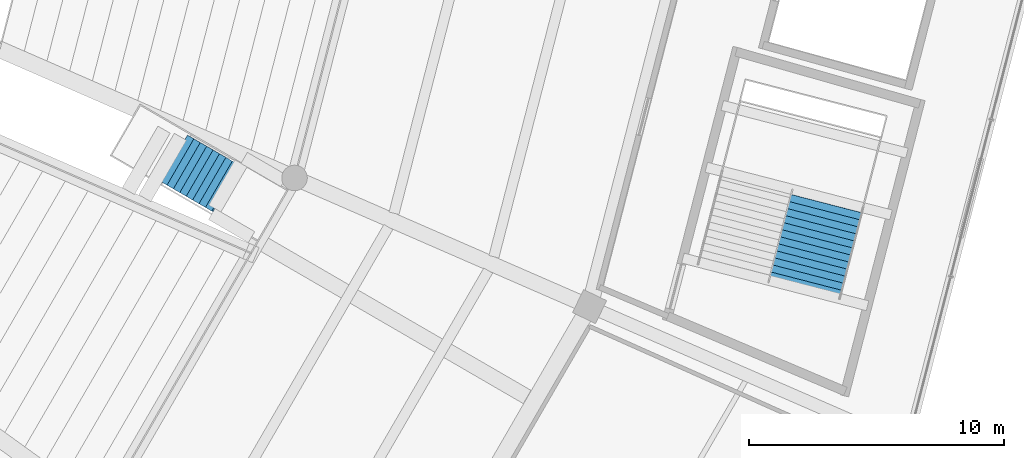
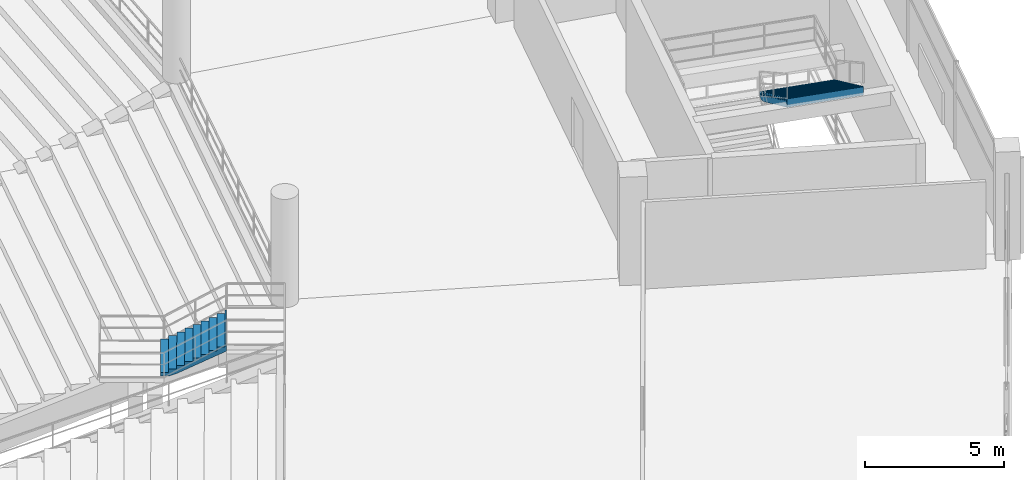
# One storey, part 127 of 156: 2 stair flights, 2 elements without a shape of their own.
"""IFC4 building model written with IfcOpenShell, lengths in metres."""

from ifc_helpers import new_model, si_unit, direction, frame, origin, place, context, subcontext, project, spatial, polygons, material, type_object, element, aggregate, save


model = new_model("IFC4")

# Units and contexts
model_context = context("Model", 3, precision=1e-05, world=origin(), true_north=direction((0.0, 1.0)))
body_context = subcontext(model_context, "Body", "Model", "MODEL_VIEW")
ifc_project = project(units=[si_unit("LENGTHUNIT", "METRE"), si_unit("AREAUNIT", "SQUARE_METRE"), si_unit("VOLUMEUNIT", "CUBIC_METRE"), si_unit("PLANEANGLEUNIT", "RADIAN"), si_unit("MASSUNIT", "GRAM", prefix="KILO")], contexts=[model_context])

# Site, building, storey
site_placement = place(None, origin())
site = spatial("IfcSite", under=ifc_project, at=site_placement, CompositionType="ELEMENT")
building_placement = place(site_placement, origin())
building = spatial("IfcBuilding", under=site, at=building_placement, Name="Kazemori Nagisa Stadium", CompositionType="ELEMENT")
storey_placement = place(building_placement, frame((0.0, 0.0, 5.780029296875)))
storey = spatial("IfcBuildingStorey", under=building, at=storey_placement, Name="L01", CompositionType="ELEMENT", Elevation=5.780029296875)

# Stair, stair flight
ifc_material = material(Name="Concrete C36/45 (Fc36)", Category="concrete")
stair_type_1 = type_object("IfcStairType", Name="Stair_CORE_28", PredefinedType="TWO_STRAIGHT_RUN_STAIR", material=ifc_material)
stair_1_placement = place(storey_placement, origin())
stair_1 = element("IfcStair", 1, at=stair_1_placement, inside=storey, type_object=stair_type_1, Name="Exit stair ST10 L01", PredefinedType="TWO_STRAIGHT_RUN_STAIR")
stair_flight_type_1 = type_object("IfcStairFlightType", Name="Flight_CORE_14", PredefinedType="STRAIGHT", material=ifc_material)
stair_flight_1_placement = place(storey_placement, frame((208.78662109375, 72.983642578125, 2.3798828125), z_axis=(0.0, 0.0, 1.0), x_axis=(-0.249939799109, -0.968261378359, 0.0)))
stair_flight_1 = element("IfcStairFlight", 2, at=stair_flight_1_placement, type_object=stair_flight_type_1, Name="Exit stair ST10 L01 flight 2", NumberOfRisers=14, NumberOfTreads=13, PredefinedType="STRAIGHT", RiserHeight=0.17, TreadLength=0.285, context=body_context, shape_type="Tessellation", body=[
    polygons([(0.0, -1.425048828125, 0.0), (0.0, -1.425048828125, 0.169921875), (0.284912109375, -1.425048828125, 0.169921875), (0.284912109375, -1.425048828125, 0.340087890625), (0.570068359375, -1.425048828125, 0.340087890625), (0.570068359375, -1.425048828125, 0.510009765625), (0.85498046875, -1.425048828125, 0.510009765625), (0.85498046875, -1.425048828125, 0.679931640625), (1.139892578125, -1.425048828125, 0.679931640625), (1.139892578125, -1.425048828125, 0.85009765625), (1.425048828125, -1.425048828125, 0.85009765625), (1.425048828125, -1.425048828125, 1.02001953125), (1.7099609375, -1.425048828125, 1.02001953125), (1.7099609375, -1.425048828125, 1.18994140625), (1.9951171875, -1.425048828125, 1.18994140625), (1.9951171875, -1.425048828125, 1.360107421875), (2.280029296875, -1.425048828125, 1.360107421875), (2.280029296875, -1.425048828125, 1.530029296875), (2.56494140625, -1.425048828125, 1.530029296875), (2.56494140625, -1.425048828125, 1.699951171875), (2.85009765625, -1.425048828125, 1.699951171875), (2.85009765625, -1.425048828125, 1.8701171875), (3.135009765625, -1.425048828125, 1.8701171875), (3.135009765625, -1.425048828125, 2.0400390625), (3.419921875, -1.425048828125, 2.0400390625), (3.419921875, -1.425048828125, 2.2099609375), (3.705078125, -1.425048828125, 2.2099609375), (3.705078125, -1.425048828125, 2.3798828125), (3.7548828125, -1.425048828125, 2.3798828125), (3.7548828125, -1.425048828125, 2.007080078125), (3.705078125, -1.425048828125, 1.977294921875), (3.419921875, -1.425048828125, 1.80712890625), (3.135009765625, -1.425048828125, 1.63720703125), (2.85009765625, -1.425048828125, 1.46728515625), (2.56494140625, -1.425048828125, 1.297119140625), (2.280029296875, -1.425048828125, 1.127197265625), (1.9951171875, -1.425048828125, 0.957275390625), (1.7099609375, -1.425048828125, 0.787109375), (1.425048828125, -1.425048828125, 0.6171875), (1.139892578125, -1.425048828125, 0.447265625), (0.85498046875, -1.425048828125, 0.277099609375), (0.570068359375, -1.425048828125, 0.107177734375), (0.284912109375, -1.425048828125, 0.0), (0.0, -0.08544921875, 0.0), (0.0, -0.08544921875, 0.169921875), (0.284912109375, -0.08544921875, 0.169921875), (0.284912109375, -0.08544921875, 0.340087890625), (0.570068359375, -0.08544921875, 0.340087890625), (0.570068359375, -0.08544921875, 0.510009765625), (0.85498046875, -0.08544921875, 0.510009765625), (0.85498046875, -0.08544921875, 0.679931640625), (1.139892578125, -0.08544921875, 0.679931640625), (1.139892578125, -0.08544921875, 0.85009765625), (1.425048828125, -0.08544921875, 0.85009765625), (1.425048828125, -0.08544921875, 1.02001953125), (1.7099609375, -0.08544921875, 1.02001953125), (1.7099609375, -0.08544921875, 1.18994140625), (1.9951171875, -0.08544921875, 1.18994140625), (1.9951171875, -0.08544921875, 1.360107421875), (2.280029296875, -0.08544921875, 1.360107421875), (2.280029296875, -0.08544921875, 1.530029296875), (2.56494140625, -0.08544921875, 1.530029296875), (2.56494140625, -0.08544921875, 1.699951171875), (2.85009765625, -0.08544921875, 1.699951171875), (2.85009765625, -0.08544921875, 1.8701171875), (3.135009765625, -0.08544921875, 1.8701171875), (3.135009765625, -0.08544921875, 2.0400390625), (3.419921875, -0.08544921875, 2.0400390625), (3.419921875, -0.08544921875, 2.2099609375), (3.705078125, -0.08544921875, 2.2099609375), (3.705078125, -0.08544921875, 2.3798828125), (3.7548828125, -0.08544921875, 2.3798828125), (3.7548828125, -0.08544921875, 2.007080078125), (3.705078125, -0.08544921875, 1.977294921875), (3.419921875, -0.08544921875, 1.80712890625), (3.135009765625, -0.08544921875, 1.63720703125), (2.85009765625, -0.08544921875, 1.46728515625), (2.56494140625, -0.08544921875, 1.297119140625), (2.280029296875, -0.08544921875, 1.127197265625), (1.9951171875, -0.08544921875, 0.957275390625), (1.7099609375, -0.08544921875, 0.787109375), (1.425048828125, -0.08544921875, 0.6171875), (1.139892578125, -0.08544921875, 0.447265625), (0.85498046875, -0.08544921875, 0.277099609375), (0.570068359375, -0.08544921875, 0.107177734375), (0.284912109375, -0.08544921875, 0.0), (0.0, 0.0, 0.0), (0.0, 0.0, 0.169921875), (0.284912109375, 0.0, 0.169921875), (0.284912109375, 0.0, 0.340087890625), (0.570068359375, 0.0, 0.340087890625), (0.570068359375, 0.0, 0.510009765625), (0.85498046875, 0.0, 0.510009765625), (0.85498046875, 0.0, 0.679931640625), (1.139892578125, 0.0, 0.679931640625), (1.139892578125, 0.0, 0.85009765625), (1.425048828125, 0.0, 0.85009765625), (1.425048828125, 0.0, 1.02001953125), (1.7099609375, 0.0, 1.02001953125), (1.7099609375, 0.0, 1.18994140625), (1.9951171875, 0.0, 1.18994140625), (1.9951171875, 0.0, 1.360107421875), (2.280029296875, 0.0, 1.360107421875), (2.280029296875, 0.0, 1.530029296875), (2.56494140625, 0.0, 1.530029296875), (2.56494140625, 0.0, 1.699951171875), (2.85009765625, 0.0, 1.699951171875), (2.85009765625, 0.0, 1.8701171875), (3.135009765625, 0.0, 1.8701171875), (3.135009765625, 0.0, 2.0400390625), (3.419921875, 0.0, 2.0400390625), (3.419921875, 0.0, 2.2099609375), (3.705078125, 0.0, 2.2099609375), (3.705078125, 0.0, 2.3798828125), (3.7548828125, 0.0, 2.3798828125), (3.7548828125, 0.0, 2.007080078125), (3.705078125, 0.0, 1.977294921875), (3.419921875, 0.0, 1.80712890625), (3.135009765625, 0.0, 1.63720703125), (2.85009765625, 0.0, 1.46728515625), (2.56494140625, 0.0, 1.297119140625), (2.280029296875, 0.0, 1.127197265625), (1.9951171875, 0.0, 0.957275390625), (1.7099609375, 0.0, 0.787109375), (1.425048828125, 0.0, 0.6171875), (1.139892578125, 0.0, 0.447265625), (0.85498046875, 0.0, 0.277099609375), (0.570068359375, 0.0, 0.107177734375), (0.284912109375, 0.0, 0.0), (0.0, 0.08544921875, 0.0), (0.0, 0.08544921875, 0.169921875), (0.284912109375, 0.08544921875, 0.169921875), (0.284912109375, 0.08544921875, 0.340087890625), (0.570068359375, 0.08544921875, 0.340087890625), (0.570068359375, 0.08544921875, 0.510009765625), (0.85498046875, 0.08544921875, 0.510009765625), (0.85498046875, 0.08544921875, 0.679931640625), (1.139892578125, 0.08544921875, 0.679931640625), (1.139892578125, 0.08544921875, 0.85009765625), (1.425048828125, 0.08544921875, 0.85009765625), (1.425048828125, 0.08544921875, 1.02001953125), (1.7099609375, 0.08544921875, 1.02001953125), (1.7099609375, 0.08544921875, 1.18994140625), (1.9951171875, 0.08544921875, 1.18994140625), (1.9951171875, 0.08544921875, 1.360107421875), (2.280029296875, 0.08544921875, 1.360107421875), (2.280029296875, 0.08544921875, 1.530029296875), (2.56494140625, 0.08544921875, 1.530029296875), (2.56494140625, 0.08544921875, 1.699951171875), (2.85009765625, 0.08544921875, 1.699951171875), (2.85009765625, 0.08544921875, 1.8701171875), (3.135009765625, 0.08544921875, 1.8701171875), (3.135009765625, 0.08544921875, 2.0400390625), (3.419921875, 0.08544921875, 2.0400390625), (3.419921875, 0.08544921875, 2.2099609375), (3.705078125, 0.08544921875, 2.2099609375), (3.705078125, 0.08544921875, 2.3798828125), (3.7548828125, 0.08544921875, 2.3798828125), (3.7548828125, 0.08544921875, 2.007080078125), (3.705078125, 0.08544921875, 1.977294921875), (3.419921875, 0.08544921875, 1.80712890625), (3.135009765625, 0.08544921875, 1.63720703125), (2.85009765625, 0.08544921875, 1.46728515625), (2.56494140625, 0.08544921875, 1.297119140625), (2.280029296875, 0.08544921875, 1.127197265625), (1.9951171875, 0.08544921875, 0.957275390625), (1.7099609375, 0.08544921875, 0.787109375), (1.425048828125, 0.08544921875, 0.6171875), (1.139892578125, 0.08544921875, 0.447265625), (0.85498046875, 0.08544921875, 0.277099609375), (0.570068359375, 0.08544921875, 0.107177734375), (0.284912109375, 0.08544921875, 0.0), (0.0, 1.425048828125, 0.0), (0.0, 1.425048828125, 0.169921875), (0.284912109375, 1.425048828125, 0.169921875), (0.284912109375, 1.425048828125, 0.340087890625), (0.570068359375, 1.425048828125, 0.340087890625), (0.570068359375, 1.425048828125, 0.510009765625), (0.85498046875, 1.425048828125, 0.510009765625), (0.85498046875, 1.425048828125, 0.679931640625), (1.139892578125, 1.425048828125, 0.679931640625), (1.139892578125, 1.425048828125, 0.85009765625), (1.425048828125, 1.425048828125, 0.85009765625), (1.425048828125, 1.425048828125, 1.02001953125), (1.7099609375, 1.425048828125, 1.02001953125), (1.7099609375, 1.425048828125, 1.18994140625), (1.9951171875, 1.425048828125, 1.18994140625), (1.9951171875, 1.425048828125, 1.360107421875), (2.280029296875, 1.425048828125, 1.360107421875), (2.280029296875, 1.425048828125, 1.530029296875), (2.56494140625, 1.425048828125, 1.530029296875), (2.56494140625, 1.425048828125, 1.699951171875), (2.85009765625, 1.425048828125, 1.699951171875), (2.85009765625, 1.425048828125, 1.8701171875), (3.135009765625, 1.425048828125, 1.8701171875), (3.135009765625, 1.425048828125, 2.0400390625), (3.419921875, 1.425048828125, 2.0400390625), (3.419921875, 1.425048828125, 2.2099609375), (3.705078125, 1.425048828125, 2.2099609375), (3.705078125, 1.425048828125, 2.3798828125), (3.7548828125, 1.425048828125, 2.3798828125), (3.7548828125, 1.425048828125, 2.007080078125), (3.705078125, 1.425048828125, 1.977294921875), (3.419921875, 1.425048828125, 1.80712890625), (3.135009765625, 1.425048828125, 1.63720703125), (2.85009765625, 1.425048828125, 1.46728515625), (2.56494140625, 1.425048828125, 1.297119140625), (2.280029296875, 1.425048828125, 1.127197265625), (1.9951171875, 1.425048828125, 0.957275390625), (1.7099609375, 1.425048828125, 0.787109375), (1.425048828125, 1.425048828125, 0.6171875), (1.139892578125, 1.425048828125, 0.447265625), (0.85498046875, 1.425048828125, 0.277099609375), (0.570068359375, 1.425048828125, 0.107177734375), (0.284912109375, 1.425048828125, 0.0)], [[[1, 2, 45]], [[1, 45, 44]], [[2, 3, 46]], [[2, 46, 45]], [[3, 4, 47]], [[3, 47, 46]], [[4, 5, 48]], [[4, 48, 47]], [[5, 6, 49]], [[5, 49, 48]], [[6, 7, 50]], [[6, 50, 49]], [[7, 8, 51]], [[7, 51, 50]], [[8, 9, 52]], [[8, 52, 51]], [[9, 10, 53]], [[9, 53, 52]], [[10, 11, 54]], [[10, 54, 53]], [[11, 12, 55]], [[11, 55, 54]], [[12, 13, 56]], [[12, 56, 55]], [[13, 14, 57]], [[13, 57, 56]], [[14, 15, 58]], [[14, 58, 57]], [[15, 16, 59]], [[15, 59, 58]], [[16, 17, 60]], [[16, 60, 59]], [[17, 18, 61]], [[17, 61, 60]], [[18, 19, 62]], [[18, 62, 61]], [[19, 20, 63]], [[19, 63, 62]], [[20, 21, 64]], [[20, 64, 63]], [[21, 22, 65]], [[21, 65, 64]], [[22, 23, 66]], [[22, 66, 65]], [[23, 24, 67]], [[23, 67, 66]], [[24, 25, 68]], [[24, 68, 67]], [[25, 26, 69]], [[25, 69, 68]], [[26, 27, 70]], [[26, 70, 69]], [[27, 28, 71]], [[27, 71, 70]], [[28, 29, 72]], [[28, 72, 71]], [[29, 30, 73]], [[29, 73, 72]], [[30, 31, 74]], [[30, 74, 73]], [[31, 32, 75]], [[31, 75, 74]], [[32, 33, 76]], [[32, 76, 75]], [[33, 34, 77]], [[33, 77, 76]], [[34, 35, 78]], [[34, 78, 77]], [[35, 36, 79]], [[35, 79, 78]], [[36, 37, 80]], [[36, 80, 79]], [[37, 38, 81]], [[37, 81, 80]], [[38, 39, 82]], [[38, 82, 81]], [[39, 40, 83]], [[39, 83, 82]], [[40, 41, 84]], [[40, 84, 83]], [[41, 42, 85]], [[41, 85, 84]], [[42, 43, 86]], [[42, 86, 85]], [[43, 1, 44]], [[43, 44, 86]], [[44, 45, 88]], [[44, 88, 87]], [[45, 46, 89]], [[45, 89, 88]], [[46, 47, 90]], [[46, 90, 89]], [[47, 48, 91]], [[47, 91, 90]], [[48, 49, 92]], [[48, 92, 91]], [[49, 50, 93]], [[49, 93, 92]], [[50, 51, 94]], [[50, 94, 93]], [[51, 52, 95]], [[51, 95, 94]], [[52, 53, 96]], [[52, 96, 95]], [[53, 54, 97]], [[53, 97, 96]], [[54, 55, 98]], [[54, 98, 97]], [[55, 56, 99]], [[55, 99, 98]], [[56, 57, 100]], [[56, 100, 99]], [[57, 58, 101]], [[57, 101, 100]], [[58, 59, 102]], [[58, 102, 101]], [[59, 60, 103]], [[59, 103, 102]], [[60, 61, 104]], [[60, 104, 103]], [[61, 62, 105]], [[61, 105, 104]], [[62, 63, 106]], [[62, 106, 105]], [[63, 64, 107]], [[63, 107, 106]], [[64, 65, 108]], [[64, 108, 107]], [[65, 66, 109]], [[65, 109, 108]], [[66, 67, 110]], [[66, 110, 109]], [[67, 68, 111]], [[67, 111, 110]], [[68, 69, 112]], [[68, 112, 111]], [[69, 70, 113]], [[69, 113, 112]], [[70, 71, 114]], [[70, 114, 113]], [[71, 72, 115]], [[71, 115, 114]], [[72, 73, 116]], [[72, 116, 115]], [[73, 74, 117]], [[73, 117, 116]], [[74, 75, 118]], [[74, 118, 117]], [[75, 76, 119]], [[75, 119, 118]], [[76, 77, 120]], [[76, 120, 119]], [[77, 78, 121]], [[77, 121, 120]], [[78, 79, 122]], [[78, 122, 121]], [[79, 80, 123]], [[79, 123, 122]], [[80, 81, 124]], [[80, 124, 123]], [[81, 82, 125]], [[81, 125, 124]], [[82, 83, 126]], [[82, 126, 125]], [[83, 84, 127]], [[83, 127, 126]], [[84, 85, 128]], [[84, 128, 127]], [[85, 86, 129]], [[85, 129, 128]], [[86, 44, 87]], [[86, 87, 129]], [[87, 88, 131]], [[87, 131, 130]], [[88, 89, 132]], [[88, 132, 131]], [[89, 90, 133]], [[89, 133, 132]], [[90, 91, 134]], [[90, 134, 133]], [[91, 92, 135]], [[91, 135, 134]], [[92, 93, 136]], [[92, 136, 135]], [[93, 94, 137]], [[93, 137, 136]], [[94, 95, 138]], [[94, 138, 137]], [[95, 96, 139]], [[95, 139, 138]], [[96, 97, 140]], [[96, 140, 139]], [[97, 98, 141]], [[97, 141, 140]], [[98, 99, 142]], [[98, 142, 141]], [[99, 100, 143]], [[99, 143, 142]], [[100, 101, 144]], [[100, 144, 143]], [[101, 102, 145]], [[101, 145, 144]], [[102, 103, 146]], [[102, 146, 145]], [[103, 104, 147]], [[103, 147, 146]], [[104, 105, 148]], [[104, 148, 147]], [[105, 106, 149]], [[105, 149, 148]], [[106, 107, 150]], [[106, 150, 149]], [[107, 108, 151]], [[107, 151, 150]], [[108, 109, 152]], [[108, 152, 151]], [[109, 110, 153]], [[109, 153, 152]], [[110, 111, 154]], [[110, 154, 153]], [[111, 112, 155]], [[111, 155, 154]], [[112, 113, 156]], [[112, 156, 155]], [[113, 114, 157]], [[113, 157, 156]], [[114, 115, 158]], [[114, 158, 157]], [[115, 116, 159]], [[115, 159, 158]], [[116, 117, 160]], [[116, 160, 159]], [[117, 118, 161]], [[117, 161, 160]], [[118, 119, 162]], [[118, 162, 161]], [[119, 120, 163]], [[119, 163, 162]], [[120, 121, 164]], [[120, 164, 163]], [[121, 122, 165]], [[121, 165, 164]], [[122, 123, 166]], [[122, 166, 165]], [[123, 124, 167]], [[123, 167, 166]], [[124, 125, 168]], [[124, 168, 167]], [[125, 126, 169]], [[125, 169, 168]], [[126, 127, 170]], [[126, 170, 169]], [[127, 128, 171]], [[127, 171, 170]], [[128, 129, 172]], [[128, 172, 171]], [[129, 87, 130]], [[129, 130, 172]], [[130, 131, 174]], [[130, 174, 173]], [[131, 132, 175]], [[131, 175, 174]], [[132, 133, 176]], [[132, 176, 175]], [[133, 134, 177]], [[133, 177, 176]], [[134, 135, 178]], [[134, 178, 177]], [[135, 136, 179]], [[135, 179, 178]], [[136, 137, 180]], [[136, 180, 179]], [[137, 138, 181]], [[137, 181, 180]], [[138, 139, 182]], [[138, 182, 181]], [[139, 140, 183]], [[139, 183, 182]], [[140, 141, 184]], [[140, 184, 183]], [[141, 142, 185]], [[141, 185, 184]], [[142, 143, 186]], [[142, 186, 185]], [[143, 144, 187]], [[143, 187, 186]], [[144, 145, 188]], [[144, 188, 187]], [[145, 146, 189]], [[145, 189, 188]], [[146, 147, 190]], [[146, 190, 189]], [[147, 148, 191]], [[147, 191, 190]], [[148, 149, 192]], [[148, 192, 191]], [[149, 150, 193]], [[149, 193, 192]], [[150, 151, 194]], [[150, 194, 193]], [[151, 152, 195]], [[151, 195, 194]], [[152, 153, 196]], [[152, 196, 195]], [[153, 154, 197]], [[153, 197, 196]], [[154, 155, 198]], [[154, 198, 197]], [[155, 156, 199]], [[155, 199, 198]], [[156, 157, 200]], [[156, 200, 199]], [[157, 158, 201]], [[157, 201, 200]], [[158, 159, 202]], [[158, 202, 201]], [[159, 160, 203]], [[159, 203, 202]], [[160, 161, 204]], [[160, 204, 203]], [[161, 162, 205]], [[161, 205, 204]], [[162, 163, 206]], [[162, 206, 205]], [[163, 164, 207]], [[163, 207, 206]], [[164, 165, 208]], [[164, 208, 207]], [[165, 166, 209]], [[165, 209, 208]], [[166, 167, 210]], [[166, 210, 209]], [[167, 168, 211]], [[167, 211, 210]], [[168, 169, 212]], [[168, 212, 211]], [[169, 170, 213]], [[169, 213, 212]], [[170, 171, 214]], [[170, 214, 213]], [[171, 172, 215]], [[171, 215, 214]], [[172, 130, 173]], [[172, 173, 215]], [[3, 2, 1]], [[173, 174, 175]], [[43, 3, 1]], [[173, 175, 215]], [[42, 3, 43]], [[215, 175, 214]], [[5, 3, 42]], [[214, 175, 177]], [[5, 4, 3]], [[175, 176, 177]], [[41, 5, 42]], [[214, 177, 213]], [[7, 5, 41]], [[213, 177, 179]], [[7, 6, 5]], [[177, 178, 179]], [[40, 7, 41]], [[213, 179, 212]], [[9, 7, 40]], [[212, 179, 181]], [[9, 8, 7]], [[179, 180, 181]], [[39, 9, 40]], [[212, 181, 211]], [[11, 9, 39]], [[211, 181, 183]], [[11, 10, 9]], [[181, 182, 183]], [[38, 11, 39]], [[211, 183, 210]], [[13, 11, 38]], [[210, 183, 185]], [[13, 12, 11]], [[183, 184, 185]], [[37, 13, 38]], [[210, 185, 209]], [[15, 13, 37]], [[209, 185, 187]], [[15, 14, 13]], [[185, 186, 187]], [[36, 15, 37]], [[209, 187, 208]], [[17, 15, 36]], [[208, 187, 189]], [[17, 16, 15]], [[187, 188, 189]], [[35, 17, 36]], [[208, 189, 207]], [[19, 17, 35]], [[207, 189, 191]], [[19, 18, 17]], [[189, 190, 191]], [[34, 19, 35]], [[207, 191, 206]], [[21, 19, 34]], [[206, 191, 193]], [[21, 20, 19]], [[191, 192, 193]], [[33, 21, 34]], [[206, 193, 205]], [[23, 21, 33]], [[205, 193, 195]], [[23, 22, 21]], [[193, 194, 195]], [[32, 23, 33]], [[205, 195, 204]], [[25, 23, 32]], [[204, 195, 197]], [[25, 24, 23]], [[195, 196, 197]], [[31, 25, 32]], [[204, 197, 203]], [[27, 25, 31]], [[203, 197, 199]], [[27, 26, 25]], [[197, 198, 199]], [[30, 27, 31]], [[203, 199, 202]], [[29, 27, 30]], [[202, 199, 201]], [[29, 28, 27]], [[199, 200, 201]]], closed=True),
])
aggregate(stair_1, [stair_flight_1])

stair_type_2 = type_object("IfcStairType", Name="Stair_VOM_VL", PredefinedType="STRAIGHT_RUN_STAIR", material=ifc_material)
stair_2_placement = place(storey_placement, origin())
stair_2 = element("IfcStair", 3, at=stair_2_placement, inside=storey, type_object=stair_type_2, Name="Vomitory stair lower VL11", PredefinedType="STRAIGHT_RUN_STAIR")
stair_flight_type_2 = type_object("IfcStairFlightType", Name="Flight_VOM_VL", PredefinedType="STRAIGHT", material=ifc_material)
stair_flight_2_placement = place(storey_placement, frame((183.166259765625, 74.484375, -1.43994140625), z_axis=(0.0, 0.0, 1.0), x_axis=(0.865085074212, -0.501625173187, 0.0)))
stair_flight_2 = element("IfcStairFlight", 4, at=stair_flight_2_placement, type_object=stair_flight_type_2, Name="Vomitory stair lower VL11 flight", NumberOfRisers=9, NumberOfTreads=8, PredefinedType="STRAIGHT", RiserHeight=0.16, TreadLength=0.29, context=body_context, shape_type="Tessellation", body=[
    polygons([(0.0, -1.050048828125, 0.0), (0.0, -1.050048828125, 0.159912109375), (0.2900390625, -1.050048828125, 0.159912109375), (0.2900390625, -1.050048828125, 0.320068359375), (0.580078125, -1.050048828125, 0.320068359375), (0.580078125, -1.050048828125, 0.47998046875), (0.8701171875, -1.050048828125, 0.47998046875), (0.8701171875, -1.050048828125, 0.639892578125), (1.159912109375, -1.050048828125, 0.639892578125), (1.159912109375, -1.050048828125, 0.800048828125), (1.449951171875, -1.050048828125, 0.800048828125), (1.449951171875, -1.050048828125, 0.9599609375), (1.739990234375, -1.050048828125, 0.9599609375), (1.739990234375, -1.050048828125, 1.1201171875), (2.030029296875, -1.050048828125, 1.1201171875), (2.030029296875, -1.050048828125, 1.280029296875), (2.320068359375, -1.050048828125, 1.280029296875), (2.320068359375, -1.050048828125, 1.43994140625), (2.3701171875, -1.050048828125, 1.43994140625), (2.3701171875, -1.050048828125, 1.10205078125), (2.320068359375, -1.050048828125, 1.074462890625), (2.030029296875, -1.050048828125, 0.91455078125), (1.739990234375, -1.050048828125, 0.75439453125), (1.449951171875, -1.050048828125, 0.594482421875), (1.159912109375, -1.050048828125, 0.4345703125), (0.8701171875, -1.050048828125, 0.2744140625), (0.580078125, -1.050048828125, 0.114501953125), (0.2900390625, -1.050048828125, 0.0), (0.0, -0.06298828125, 0.0), (0.0, -0.06298828125, 0.159912109375), (0.2900390625, -0.06298828125, 0.159912109375), (0.2900390625, -0.06298828125, 0.320068359375), (0.580078125, -0.06298828125, 0.320068359375), (0.580078125, -0.06298828125, 0.47998046875), (0.8701171875, -0.06298828125, 0.47998046875), (0.8701171875, -0.06298828125, 0.639892578125), (1.159912109375, -0.06298828125, 0.639892578125), (1.159912109375, -0.06298828125, 0.800048828125), (1.449951171875, -0.06298828125, 0.800048828125), (1.449951171875, -0.06298828125, 0.9599609375), (1.739990234375, -0.06298828125, 0.9599609375), (1.739990234375, -0.06298828125, 1.1201171875), (2.030029296875, -0.06298828125, 1.1201171875), (2.030029296875, -0.06298828125, 1.280029296875), (2.320068359375, -0.06298828125, 1.280029296875), (2.320068359375, -0.06298828125, 1.43994140625), (2.3701171875, -0.06298828125, 1.43994140625), (2.3701171875, -0.06298828125, 1.10205078125), (2.320068359375, -0.06298828125, 1.074462890625), (2.030029296875, -0.06298828125, 0.91455078125), (1.739990234375, -0.06298828125, 0.75439453125), (1.449951171875, -0.06298828125, 0.594482421875), (1.159912109375, -0.06298828125, 0.4345703125), (0.8701171875, -0.06298828125, 0.2744140625), (0.580078125, -0.06298828125, 0.114501953125), (0.2900390625, -0.06298828125, 0.0), (0.0, 0.0, 0.0), (0.0, 0.0, 0.159912109375), (0.2900390625, 0.0, 0.159912109375), (0.2900390625, 0.0, 0.320068359375), (0.580078125, 0.0, 0.320068359375), (0.580078125, 0.0, 0.47998046875), (0.8701171875, 0.0, 0.47998046875), (0.8701171875, 0.0, 0.639892578125), (1.159912109375, 0.0, 0.639892578125), (1.159912109375, 0.0, 0.800048828125), (1.449951171875, 0.0, 0.800048828125), (1.449951171875, 0.0, 0.9599609375), (1.739990234375, 0.0, 0.9599609375), (1.739990234375, 0.0, 1.1201171875), (2.030029296875, 0.0, 1.1201171875), (2.030029296875, 0.0, 1.280029296875), (2.320068359375, 0.0, 1.280029296875), (2.320068359375, 0.0, 1.43994140625), (2.3701171875, 0.0, 1.43994140625), (2.3701171875, 0.0, 1.10205078125), (2.320068359375, 0.0, 1.074462890625), (2.030029296875, 0.0, 0.91455078125), (1.739990234375, 0.0, 0.75439453125), (1.449951171875, 0.0, 0.594482421875), (1.159912109375, 0.0, 0.4345703125), (0.8701171875, 0.0, 0.2744140625), (0.580078125, 0.0, 0.114501953125), (0.2900390625, 0.0, 0.0), (0.0, 0.06298828125, 0.0), (0.0, 0.06298828125, 0.159912109375), (0.2900390625, 0.06298828125, 0.159912109375), (0.2900390625, 0.06298828125, 0.320068359375), (0.580078125, 0.06298828125, 0.320068359375), (0.580078125, 0.06298828125, 0.47998046875), (0.8701171875, 0.06298828125, 0.47998046875), (0.8701171875, 0.06298828125, 0.639892578125), (1.159912109375, 0.06298828125, 0.639892578125), (1.159912109375, 0.06298828125, 0.800048828125), (1.449951171875, 0.06298828125, 0.800048828125), (1.449951171875, 0.06298828125, 0.9599609375), (1.739990234375, 0.06298828125, 0.9599609375), (1.739990234375, 0.06298828125, 1.1201171875), (2.030029296875, 0.06298828125, 1.1201171875), (2.030029296875, 0.06298828125, 1.280029296875), (2.320068359375, 0.06298828125, 1.280029296875), (2.320068359375, 0.06298828125, 1.43994140625), (2.3701171875, 0.06298828125, 1.43994140625), (2.3701171875, 0.06298828125, 1.10205078125), (2.320068359375, 0.06298828125, 1.074462890625), (2.030029296875, 0.06298828125, 0.91455078125), (1.739990234375, 0.06298828125, 0.75439453125), (1.449951171875, 0.06298828125, 0.594482421875), (1.159912109375, 0.06298828125, 0.4345703125), (0.8701171875, 0.06298828125, 0.2744140625), (0.580078125, 0.06298828125, 0.114501953125), (0.2900390625, 0.06298828125, 0.0), (0.0, 1.050048828125, 0.0), (0.0, 1.050048828125, 0.159912109375), (0.2900390625, 1.050048828125, 0.159912109375), (0.2900390625, 1.050048828125, 0.320068359375), (0.580078125, 1.050048828125, 0.320068359375), (0.580078125, 1.050048828125, 0.47998046875), (0.8701171875, 1.050048828125, 0.47998046875), (0.8701171875, 1.050048828125, 0.639892578125), (1.159912109375, 1.050048828125, 0.639892578125), (1.159912109375, 1.050048828125, 0.800048828125), (1.449951171875, 1.050048828125, 0.800048828125), (1.449951171875, 1.050048828125, 0.9599609375), (1.739990234375, 1.050048828125, 0.9599609375), (1.739990234375, 1.050048828125, 1.1201171875), (2.030029296875, 1.050048828125, 1.1201171875), (2.030029296875, 1.050048828125, 1.280029296875), (2.320068359375, 1.050048828125, 1.280029296875), (2.320068359375, 1.050048828125, 1.43994140625), (2.3701171875, 1.050048828125, 1.43994140625), (2.3701171875, 1.050048828125, 1.10205078125), (2.320068359375, 1.050048828125, 1.074462890625), (2.030029296875, 1.050048828125, 0.91455078125), (1.739990234375, 1.050048828125, 0.75439453125), (1.449951171875, 1.050048828125, 0.594482421875), (1.159912109375, 1.050048828125, 0.4345703125), (0.8701171875, 1.050048828125, 0.2744140625), (0.580078125, 1.050048828125, 0.114501953125), (0.2900390625, 1.050048828125, 0.0)], [[[1, 2, 30]], [[1, 30, 29]], [[2, 3, 31]], [[2, 31, 30]], [[3, 4, 32]], [[3, 32, 31]], [[4, 5, 33]], [[4, 33, 32]], [[5, 6, 34]], [[5, 34, 33]], [[6, 7, 35]], [[6, 35, 34]], [[7, 8, 36]], [[7, 36, 35]], [[8, 9, 37]], [[8, 37, 36]], [[9, 10, 38]], [[9, 38, 37]], [[10, 11, 39]], [[10, 39, 38]], [[11, 12, 40]], [[11, 40, 39]], [[12, 13, 41]], [[12, 41, 40]], [[13, 14, 42]], [[13, 42, 41]], [[14, 15, 43]], [[14, 43, 42]], [[15, 16, 44]], [[15, 44, 43]], [[16, 17, 45]], [[16, 45, 44]], [[17, 18, 46]], [[17, 46, 45]], [[18, 19, 47]], [[18, 47, 46]], [[19, 20, 48]], [[19, 48, 47]], [[20, 21, 49]], [[20, 49, 48]], [[21, 22, 50]], [[21, 50, 49]], [[22, 23, 51]], [[22, 51, 50]], [[23, 24, 52]], [[23, 52, 51]], [[24, 25, 53]], [[24, 53, 52]], [[25, 26, 54]], [[25, 54, 53]], [[26, 27, 55]], [[26, 55, 54]], [[27, 28, 56]], [[27, 56, 55]], [[28, 1, 29]], [[28, 29, 56]], [[29, 30, 58]], [[29, 58, 57]], [[30, 31, 59]], [[30, 59, 58]], [[31, 32, 60]], [[31, 60, 59]], [[32, 33, 61]], [[32, 61, 60]], [[33, 34, 62]], [[33, 62, 61]], [[34, 35, 63]], [[34, 63, 62]], [[35, 36, 64]], [[35, 64, 63]], [[36, 37, 65]], [[36, 65, 64]], [[37, 38, 66]], [[37, 66, 65]], [[38, 39, 67]], [[38, 67, 66]], [[39, 40, 68]], [[39, 68, 67]], [[40, 41, 69]], [[40, 69, 68]], [[41, 42, 70]], [[41, 70, 69]], [[42, 43, 71]], [[42, 71, 70]], [[43, 44, 72]], [[43, 72, 71]], [[44, 45, 73]], [[44, 73, 72]], [[45, 46, 74]], [[45, 74, 73]], [[46, 47, 75]], [[46, 75, 74]], [[47, 48, 76]], [[47, 76, 75]], [[48, 49, 77]], [[48, 77, 76]], [[49, 50, 78]], [[49, 78, 77]], [[50, 51, 79]], [[50, 79, 78]], [[51, 52, 80]], [[51, 80, 79]], [[52, 53, 81]], [[52, 81, 80]], [[53, 54, 82]], [[53, 82, 81]], [[54, 55, 83]], [[54, 83, 82]], [[55, 56, 84]], [[55, 84, 83]], [[56, 29, 57]], [[56, 57, 84]], [[57, 58, 86]], [[57, 86, 85]], [[58, 59, 87]], [[58, 87, 86]], [[59, 60, 88]], [[59, 88, 87]], [[60, 61, 89]], [[60, 89, 88]], [[61, 62, 90]], [[61, 90, 89]], [[62, 63, 91]], [[62, 91, 90]], [[63, 64, 92]], [[63, 92, 91]], [[64, 65, 93]], [[64, 93, 92]], [[65, 66, 94]], [[65, 94, 93]], [[66, 67, 95]], [[66, 95, 94]], [[67, 68, 96]], [[67, 96, 95]], [[68, 69, 97]], [[68, 97, 96]], [[69, 70, 98]], [[69, 98, 97]], [[70, 71, 99]], [[70, 99, 98]], [[71, 72, 100]], [[71, 100, 99]], [[72, 73, 101]], [[72, 101, 100]], [[73, 74, 102]], [[73, 102, 101]], [[74, 75, 103]], [[74, 103, 102]], [[75, 76, 104]], [[75, 104, 103]], [[76, 77, 105]], [[76, 105, 104]], [[77, 78, 106]], [[77, 106, 105]], [[78, 79, 107]], [[78, 107, 106]], [[79, 80, 108]], [[79, 108, 107]], [[80, 81, 109]], [[80, 109, 108]], [[81, 82, 110]], [[81, 110, 109]], [[82, 83, 111]], [[82, 111, 110]], [[83, 84, 112]], [[83, 112, 111]], [[84, 57, 85]], [[84, 85, 112]], [[85, 86, 114]], [[85, 114, 113]], [[86, 87, 115]], [[86, 115, 114]], [[87, 88, 116]], [[87, 116, 115]], [[88, 89, 117]], [[88, 117, 116]], [[89, 90, 118]], [[89, 118, 117]], [[90, 91, 119]], [[90, 119, 118]], [[91, 92, 120]], [[91, 120, 119]], [[92, 93, 121]], [[92, 121, 120]], [[93, 94, 122]], [[93, 122, 121]], [[94, 95, 123]], [[94, 123, 122]], [[95, 96, 124]], [[95, 124, 123]], [[96, 97, 125]], [[96, 125, 124]], [[97, 98, 126]], [[97, 126, 125]], [[98, 99, 127]], [[98, 127, 126]], [[99, 100, 128]], [[99, 128, 127]], [[100, 101, 129]], [[100, 129, 128]], [[101, 102, 130]], [[101, 130, 129]], [[102, 103, 131]], [[102, 131, 130]], [[103, 104, 132]], [[103, 132, 131]], [[104, 105, 133]], [[104, 133, 132]], [[105, 106, 134]], [[105, 134, 133]], [[106, 107, 135]], [[106, 135, 134]], [[107, 108, 136]], [[107, 136, 135]], [[108, 109, 137]], [[108, 137, 136]], [[109, 110, 138]], [[109, 138, 137]], [[110, 111, 139]], [[110, 139, 138]], [[111, 112, 140]], [[111, 140, 139]], [[112, 85, 113]], [[112, 113, 140]], [[3, 2, 1]], [[113, 114, 115]], [[28, 3, 1]], [[113, 115, 140]], [[27, 3, 28]], [[140, 115, 139]], [[5, 3, 27]], [[139, 115, 117]], [[5, 4, 3]], [[115, 116, 117]], [[26, 5, 27]], [[139, 117, 138]], [[7, 5, 26]], [[138, 117, 119]], [[7, 6, 5]], [[117, 118, 119]], [[25, 7, 26]], [[138, 119, 137]], [[9, 7, 25]], [[137, 119, 121]], [[9, 8, 7]], [[119, 120, 121]], [[24, 9, 25]], [[137, 121, 136]], [[11, 9, 24]], [[136, 121, 123]], [[11, 10, 9]], [[121, 122, 123]], [[23, 11, 24]], [[136, 123, 135]], [[13, 11, 23]], [[135, 123, 125]], [[13, 12, 11]], [[123, 124, 125]], [[22, 13, 23]], [[135, 125, 134]], [[15, 13, 22]], [[134, 125, 127]], [[15, 14, 13]], [[125, 126, 127]], [[21, 15, 22]], [[134, 127, 133]], [[17, 15, 21]], [[133, 127, 129]], [[17, 16, 15]], [[127, 128, 129]], [[20, 17, 21]], [[133, 129, 132]], [[19, 17, 20]], [[132, 129, 131]], [[19, 18, 17]], [[129, 130, 131]]], closed=True),
])
aggregate(stair_2, [stair_flight_2])

save(model, "model.ifc")
